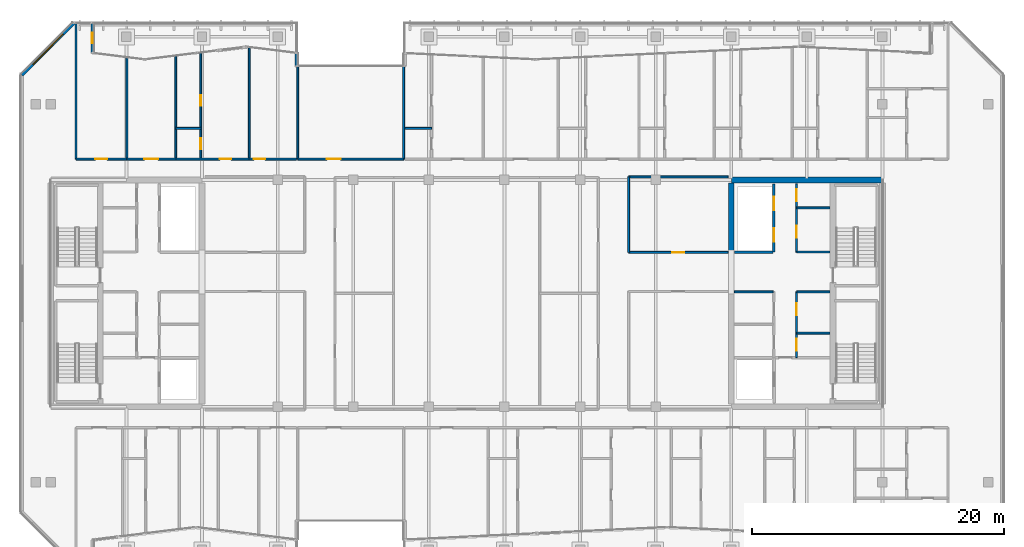
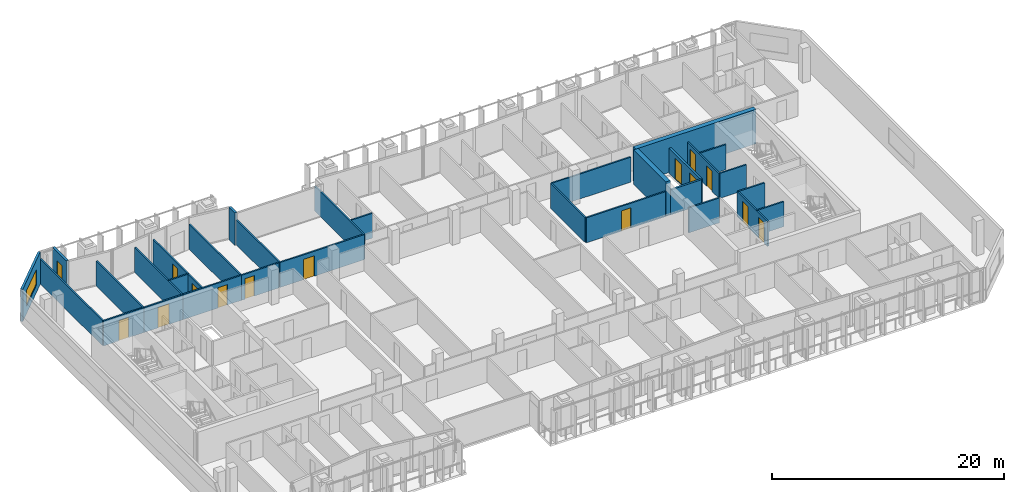
# One storey, part 23 of 31: 31 walls, 14 doors, 2 windows, 16 openings.
"""IFC4 building model written with IfcOpenShell, lengths in metres."""

import ifcopenshell
import ifcopenshell.guid

model = None  # the IFC model being written
_history = None  # IfcOwnerHistory: only IFC2X3 demands one
_inside = {}  # id of a spatial element -> (the spatial element, [elements in it])
_under = {}  # id of a project, library or spatial element -> (it, [spatial elements below it])
_declared = {}  # id of a project -> (the project, [libraries it declares])
_typed = {}  # id of a type object -> (the type object, [elements of that type])
_made_of = {}  # id of a material, layer set ... -> (it, [elements and type objects made of it])


def new_model(schema):
    """Start an empty IFC model of exactly this schema.

    Asked for "IFC4X3", IfcOpenShell would pick the latest addendum, in which some entities
    have other attributes; the version numbers below select the first issue.
    IFC2X3 requires an IfcOwnerHistory on every rooted entity: one is made here for all.
    """
    global model, _history
    if schema == "IFC4X3":
        model = ifcopenshell.file(schema_version=(4, 3, 0, 0))
    else:
        model = ifcopenshell.file(schema=schema)
    _inside.clear()
    _under.clear()
    _declared.clear()
    _typed.clear()
    _made_of.clear()
    _history = None
    if model.schema == "IFC2X3":
        org = make("IfcOrganization", Name="unknown")
        user = make(
            "IfcPersonAndOrganization",
            ThePerson=make("IfcPerson", FamilyName="unknown"),
            TheOrganization=org,
        )
        app = make(
            "IfcApplication",
            ApplicationDeveloper=org,
            Version="unknown",
            ApplicationFullName="unknown",
            ApplicationIdentifier="unknown",
        )
        _history = make(
            "IfcOwnerHistory",
            OwningUser=user,
            OwningApplication=app,
            ChangeAction="ADDED",
            CreationDate=0,
        )
    return model


def make(cls, **values):
    """One entity of the class cls with the attributes given. An attribute that is None is left unset."""
    return model.create_entity(
        cls, **{name: value for name, value in values.items() if value is not None}
    )


def rooted(cls, **values):
    """An entity with a GlobalId (a new one), such as an element, a storey or a relation."""
    return make(cls, GlobalId=ifcopenshell.guid.new(), OwnerHistory=_history, **values)


def si_unit(unit_type, name, prefix=None):
    """IfcSIUnit, for example si_unit("LENGTHUNIT", "METRE", prefix="MILLI")."""
    return make("IfcSIUnit", UnitType=unit_type, Prefix=prefix, Name=name)


def assignment(units):
    """IfcUnitAssignment: the units of a project."""
    return None if units is None else make("IfcUnitAssignment", Units=units)


def point(xyz):
    """IfcCartesianPoint."""
    return None if xyz is None else make("IfcCartesianPoint", Coordinates=xyz)


def direction(xyz):
    """IfcDirection."""
    return None if xyz is None else make("IfcDirection", DirectionRatios=xyz)


def frame(location, z_axis=None, x_axis=None):
    """IfcAxis2Placement3D, a coordinate frame: its origin and axes. An axis left out is left unset."""
    return make(
        "IfcAxis2Placement3D",
        Location=point(location),
        Axis=direction(z_axis),
        RefDirection=direction(x_axis),
    )


def frame_2d(location, x_axis=None):
    """IfcAxis2Placement2D, a coordinate frame in the plane: its origin and x axis."""
    return make(
        "IfcAxis2Placement2D", Location=point(location), RefDirection=direction(x_axis)
    )


def origin():
    """The frame at (0, 0, 0) with its axes left unset."""
    return frame((0.0, 0.0, 0.0))


def place(relative_to, where):
    """IfcLocalPlacement: puts the frame where relative to a parent placement (None: the world)."""
    return make(
        "IfcLocalPlacement", PlacementRelTo=relative_to, RelativePlacement=where
    )


def context(
    kind, dimensions, precision=None, world=None, true_north=None, identifier=None
):
    """IfcGeometricRepresentationContext, for example the 3D "Model" context."""
    return make(
        "IfcGeometricRepresentationContext",
        ContextIdentifier=identifier,
        ContextType=kind,
        CoordinateSpaceDimension=dimensions,
        Precision=precision,
        WorldCoordinateSystem=world,
        TrueNorth=true_north,
    )


def subcontext(parent, identifier, kind, view, scale=None):
    """IfcGeometricRepresentationSubContext, for example "Body" below "Model"."""
    return make(
        "IfcGeometricRepresentationSubContext",
        ContextIdentifier=identifier,
        ContextType=kind,
        ParentContext=parent,
        TargetScale=scale,
        TargetView=view,
    )


def project(units=None, contexts=None):
    """IfcProject with its units and contexts."""
    return rooted(
        "IfcProject",
        Name="project",
        RepresentationContexts=contexts,
        UnitsInContext=assignment(units),
    )


def spatial(cls, under=None, at=None, **own):
    """A site, building, storey or space (cls), placed at a placement, below another one or the project."""
    s = rooted(cls, ObjectPlacement=at, **own)
    if under is not None:
        _under.setdefault(under.id(), (under, []))[1].append(s)
    return s


def profile(cls, at=None, kind="AREA", **sizes):
    """A parametric profile (cls). Its sizes go by their IFC names, for example OverallWidth=200.0."""
    return make(cls, ProfileType=kind, Position=at, **sizes)


def rectangle(**sizes):
    """IfcRectangleProfileDef."""
    return profile("IfcRectangleProfileDef", **sizes)


def extrude(swept, where, along, depth):
    """IfcExtrudedAreaSolid: the profile swept, set in the frame where, extruded along a direction by depth."""
    return make(
        "IfcExtrudedAreaSolid",
        SweptArea=swept,
        Position=where,
        ExtrudedDirection=direction(along),
        Depth=depth,
    )


def shape(context_of_items, identifier, shape_type, items):
    """IfcShapeRepresentation: the items that make up one representation, for example the "Body"."""
    return make(
        "IfcShapeRepresentation",
        ContextOfItems=context_of_items,
        RepresentationIdentifier=identifier,
        RepresentationType=shape_type,
        Items=items,
    )


def material(Name=None, Category=None):
    """IfcMaterial."""
    return make("IfcMaterial", Name=Name, Category=Category)


def layer(
    of_material, thickness, ventilated=None, Name=None, Category=None, Priority=None
):
    """IfcMaterialLayer: one layer of a wall or slab, of a material (None: an air gap)."""
    return make(
        "IfcMaterialLayer",
        Material=of_material,
        LayerThickness=thickness,
        IsVentilated=ventilated,
        Name=Name,
        Category=Category,
        Priority=Priority,
    )


def layer_set(layers, Name=None):
    """IfcMaterialLayerSet."""
    return make("IfcMaterialLayerSet", MaterialLayers=layers, LayerSetName=Name)


def made_of(thing, what):
    """Note that an element or type object is made of a material, layer set ...; save() writes the relation."""
    if what is not None:
        _made_of.setdefault(what.id(), (what, []))[1].append(thing)
    return thing


def type_object(cls, material=None, **own):
    """A type object (cls), such as IfcWallType, which elements share."""
    return made_of(rooted(cls, **own), material)


def element(
    cls,
    number,
    at=None,
    inside=None,
    cuts=None,
    type_object=None,
    material=None,
    context=None,
    identifier="Body",
    shape_type=None,
    held_by="IfcProductDefinitionShape",
    body=None,
    shapes=None,
    **own,
):
    """One element of the class cls, such as IfcWall. Its Tag is "e" and its number.

    at: its placement. inside: the storey or other place that contains it. cuts: it is an
    opening in that element (IfcRelVoidsElement). A single representation is given by context,
    identifier, shape_type and body (its items); several are given by shapes. held_by: the class
    of the entity that holds the representations. save() writes the other relations.
    """
    e = rooted(cls, Tag="e%d" % number, ObjectPlacement=at, **own)
    if body is not None:
        shapes = [shape(context, identifier, shape_type, body)]
    if shapes is not None:
        e.Representation = make(held_by, Representations=shapes)
    if inside is not None:
        _inside.setdefault(inside.id(), (inside, []))[1].append(e)
    if cuts is not None:
        rooted(
            "IfcRelVoidsElement", RelatingBuildingElement=cuts, RelatedOpeningElement=e
        )
    if type_object is not None:
        _typed.setdefault(type_object.id(), (type_object, []))[1].append(e)
    return made_of(e, material)


def fill(opening, filler):
    """IfcRelFillsElement: the door or window that sits in an opening."""
    return rooted(
        "IfcRelFillsElement",
        RelatingOpeningElement=opening,
        RelatedBuildingElement=filler,
    )


def aggregate(whole, parts):
    """IfcRelAggregates: a whole, such as a stair, and the parts it consists of."""
    return rooted("IfcRelAggregates", RelatingObject=whole, RelatedObjects=parts)


def save(model, path):
    """Write the relations noted so far, then the file.

    IfcRelAggregates (storeys below a building ...), IfcRelContainedInSpatialStructure (elements
    in a storey), IfcRelDefinesByType, IfcRelAssociatesMaterial and IfcRelDeclares: one each for
    every whole, place, type object, material and project.
    """
    for whole, parts in _under.values():
        aggregate(whole, parts)
    for where, things in _inside.values():
        rooted(
            "IfcRelContainedInSpatialStructure",
            RelatedElements=things,
            RelatingStructure=where,
        )
    for kind, things in _typed.values():
        rooted("IfcRelDefinesByType", RelatedObjects=things, RelatingType=kind)
    for what, things in _made_of.values():
        rooted("IfcRelAssociatesMaterial", RelatedObjects=things, RelatingMaterial=what)
    for by, libraries in _declared.values():
        rooted("IfcRelDeclares", RelatingContext=by, RelatedDefinitions=libraries)
    model.write(path)


model = new_model("IFC4")

# Units and contexts
model_context = context("Model", 3, precision=1e-05, world=origin(), true_north=direction((0.0, 1.0)))
body_context = subcontext(model_context, "Body", "Model", "MODEL_VIEW")
ifc_project = project(units=[si_unit("LENGTHUNIT", "METRE"), si_unit("AREAUNIT", "SQUARE_METRE"), si_unit("VOLUMEUNIT", "CUBIC_METRE"), si_unit("PLANEANGLEUNIT", "RADIAN"), si_unit("MASSUNIT", "GRAM", prefix="KILO")], contexts=[model_context])

# Site, building, storey
site_placement = place(None, origin())
site = spatial("IfcSite", under=ifc_project, at=site_placement, CompositionType="ELEMENT")
building_placement = place(site_placement, origin())
building = spatial("IfcBuilding", under=site, at=building_placement, Name="Tanjung Sevakor Pilgrim Tower", CompositionType="ELEMENT")
storey_placement = place(building_placement, frame((0.0, 0.0, 208.22998046875)))
storey = spatial("IfcBuildingStorey", under=building, at=storey_placement, Name="L58", CompositionType="ELEMENT", Elevation=208.22998046875)

# Walls
ifc_material_1 = material(Name="Concrete C60/75", Category="concrete")
ifc_layer_1 = layer(ifc_material_1, 0.449951171875)
ifc_layer_set_1 = layer_set([ifc_layer_1], Name="WALL-CW-450")
wall_type_1 = type_object("IfcWallType", Name="WALL-CW-450", PredefinedType="SHEAR", material=ifc_layer_set_1)
wall_1_placement = place(storey_placement, frame((90.0, 42.60009765625, 0.0), z_axis=(0.0, 0.0, 1.0), x_axis=(-1.0, 0.0, 0.0)))
element("IfcWall", 1, at=wall_1_placement, inside=storey, type_object=wall_type_1, Name="L58 E Core North Shear Wall", PredefinedType="SHEAR", context=body_context, shape_type="SweptSolid", body=[
    extrude(rectangle(XDim=12.0, YDim=0.449951171875, at=frame_2d((6.0, 0.0))), origin(), (0.0, 0.0, 1.0), 3.630126953125),
])
wall_2_placement = place(storey_placement, frame((78.0, 36.800048828125, 0.0), z_axis=(0.0, 0.0, 1.0), x_axis=(0.0, 1.0, 0.0)))
element("IfcWall", 2, at=wall_2_placement, inside=storey, type_object=wall_type_1, Name="L58 E Core Inner Shear Wall North", PredefinedType="SHEAR", context=body_context, shape_type="SweptSolid", body=[
    extrude(rectangle(XDim=5.574951171875, YDim=0.449951171875, at=frame_2d((2.78759765625, 0.0))), origin(), (0.0, 0.0, 1.0), 3.630126953125),
])
ifc_material_2 = material(Name="Concrete C40/50", Category="concrete")
ifc_layer_2 = layer(ifc_material_2, 0.14990234375)
ifc_layer_set_2 = layer_set([ifc_layer_2], Name="WT-COMP-150")
wall_type_2 = type_object("IfcWallType", Name="WT-COMP-150", PredefinedType="SOLIDWALL", material=ifc_layer_set_2)
for number, where, z_axis, x_axis, name in (
    (3, (83.199951171875, 30.449951171875, 0.0), (0.0, 0.0, 1.0), (1.0, 0.0, 0.0), "L58 Partition IW-L58-016"),
    (4, (83.199951171875, 33.719970703125, 0.0), (0.0, 0.0, 1.0), (1.0, 0.0, 0.0), "L58 Partition IW-L58-017"),
):
    element("IfcWall", number, at=place(storey_placement, frame(where, z_axis=z_axis, x_axis=x_axis)), inside=storey, type_object=wall_type_2, Name=name, PredefinedType="SOLIDWALL", context=body_context, shape_type="SweptSolid", body=[
        extrude(rectangle(XDim=2.630126953125, YDim=0.14990234375, at=frame_2d((1.31494140625, 0.0))), origin(), (0.0, 0.0, 1.0), 2.6298828125),
    ])

# Wall, openings, doors
wall_3_placement = place(storey_placement, frame((83.179931640625, 28.5, 0.0), z_axis=(0.0, 0.0, 1.0), x_axis=(0.0, 1.0, 0.0)))
wall_3 = element("IfcWall", 5, at=wall_3_placement, inside=storey, type_object=wall_type_2, Name="L58 Partition IW-L58-018", PredefinedType="SOLIDWALL", context=body_context, shape_type="SweptSolid", body=[
    extrude(rectangle(XDim=5.219970703125, YDim=0.14990234375, at=frame_2d((2.60986328125, 0.0))), origin(), (0.0, 0.0, 1.0), 2.6298828125),
])
opening_1_placement = place(wall_3_placement, frame((0.550048828125, 0.0, 0.0)))
opening_1 = element("IfcOpeningElement", 6, at=opening_1_placement, cuts=wall_3, Name="Opening ID-FD2", PredefinedType="OPENING", context=body_context, shape_type="SweptSolid", body=[
    extrude(rectangle(XDim=0.949951171875, YDim=2.14990234375, at=frame_2d((0.47509765625, 1.074951171875))), frame((0.0, 0.0849609375, 0.0), z_axis=(0.0, -1.0, 0.0), x_axis=(1.0, 0.0, 0.0)), (0.0, 0.0, 1.0), 0.169921875),
])
opening_2_placement = place(wall_3_placement, frame((3.35009765625, 0.0, 0.0)))
opening_2 = element("IfcOpeningElement", 7, at=opening_2_placement, cuts=wall_3, Name="Opening ID-FD2", PredefinedType="OPENING", context=body_context, shape_type="SweptSolid", body=[
    extrude(rectangle(XDim=0.949951171875, YDim=2.14990234375, at=frame_2d((0.47509765625, 1.074951171875))), frame((0.0, 0.0849609375, 0.0), z_axis=(0.0, -1.0, 0.0), x_axis=(1.0, 0.0, 0.0)), (0.0, 0.0, 1.0), 0.169921875),
])
ifc_material_3 = material(Name="Fire-Rated Timber", Category="wood")
door_type_1 = type_object("IfcDoorType", Name="DT-FIRE-950", OperationType="NOTDEFINED", PredefinedType="DOOR", material=ifc_material_3)
door_1_placement = place(opening_1_placement, origin())
door_1 = element("IfcDoor", 8, at=door_1_placement, inside=storey, type_object=door_type_1, Name="L58 Cleaner Store Door", OperationType="SINGLE_SWING_RIGHT", OverallHeight=2.14990234375, OverallWidth=0.949951171875, PredefinedType="DOOR", context=body_context, shape_type="SweptSolid", body=[
    extrude(rectangle(XDim=0.949951171875, YDim=2.14990234375, at=frame_2d((0.47509765625, 1.074951171875))), frame((0.0, 0.02490234375, 0.0), z_axis=(0.0, -1.0, 0.0), x_axis=(1.0, 0.0, 0.0)), (0.0, 0.0, 1.0), 0.050048828125),
])
fill(opening_1, door_1)
door_2_placement = place(opening_2_placement, origin())
door_2 = element("IfcDoor", 9, at=door_2_placement, inside=storey, type_object=door_type_1, Name="L58 Housekeeping Pantry Door", OperationType="SINGLE_SWING_LEFT", OverallHeight=2.14990234375, OverallWidth=0.949951171875, PredefinedType="DOOR", context=body_context, shape_type="SweptSolid", body=[
    extrude(rectangle(XDim=0.949951171875, YDim=2.14990234375, at=frame_2d((0.47509765625, 1.074951171875))), frame((0.0, 0.02490234375, 0.0), z_axis=(0.0, -1.0, 0.0), x_axis=(1.0, 0.0, 0.0)), (0.0, 0.0, 1.0), 0.050048828125),
])
fill(opening_2, door_2)

# Walls
wall_4_placement = place(storey_placement, frame((78.2451171875, 33.719970703125, 0.0), z_axis=(0.0, 0.0, 1.0), x_axis=(1.0, 0.0, 0.0)))
element("IfcWall", 10, at=wall_4_placement, inside=storey, type_object=wall_type_2, Name="L58 Partition IW-L58-020", PredefinedType="SOLIDWALL", context=body_context, shape_type="SweptSolid", body=[
    extrude(rectangle(XDim=3.074951171875, YDim=0.14990234375, at=frame_2d((1.53759765625, 0.0))), origin(), (0.0, 0.0, 1.0), 2.6298828125),
])
for number, where, z_axis, x_axis, name in (
    (11, (83.199951171875, 36.8798828125, 0.0), (0.0, 0.0, 1.0), (1.0, 0.0, 0.0), "L58 Partition IW-L58-022"),
    (12, (83.199951171875, 40.389892578125, 0.0), (0.0, 0.0, 1.0), (1.0, 0.0, 0.0), "L58 Partition IW-L58-023"),
):
    element("IfcWall", number, at=place(storey_placement, frame(where, z_axis=z_axis, x_axis=x_axis)), inside=storey, type_object=wall_type_2, Name=name, PredefinedType="SOLIDWALL", context=body_context, shape_type="SweptSolid", body=[
        extrude(rectangle(XDim=2.630126953125, YDim=0.14990234375, at=frame_2d((1.31494140625, 0.0))), origin(), (0.0, 0.0, 1.0), 2.6298828125),
    ])

# Wall, openings, doors
wall_5_placement = place(storey_placement, frame((83.179931640625, 36.8798828125, 0.0), z_axis=(0.0, 0.0, 1.0), x_axis=(0.0, 1.0, 0.0)))
wall_5 = element("IfcWall", 13, at=wall_5_placement, inside=storey, type_object=wall_type_2, Name="L58 Partition IW-L58-024", PredefinedType="SOLIDWALL", context=body_context, shape_type="SweptSolid", body=[
    extrude(rectangle(XDim=5.420166015625, YDim=0.14990234375, at=frame_2d((2.7099609375, 0.0))), origin(), (0.0, 0.0, 1.0), 2.6298828125),
])
opening_3_placement = place(wall_5_placement, frame((1.14990234375, 0.0, 0.0)))
opening_3 = element("IfcOpeningElement", 14, at=opening_3_placement, cuts=wall_5, Name="Opening ID-FD2", PredefinedType="OPENING", context=body_context, shape_type="SweptSolid", body=[
    extrude(rectangle(XDim=0.949951171875, YDim=2.14990234375, at=frame_2d((0.47509765625, 1.074951171875))), frame((0.0, 0.0849609375, 0.0), z_axis=(0.0, -1.0, 0.0), x_axis=(1.0, 0.0, 0.0)), (0.0, 0.0, 1.0), 0.169921875),
])
opening_4_placement = place(wall_5_placement, frame((4.050048828125, 0.0, 0.0)))
opening_4 = element("IfcOpeningElement", 15, at=opening_4_placement, cuts=wall_5, Name="Opening ID-FD2", PredefinedType="OPENING", context=body_context, shape_type="SweptSolid", body=[
    extrude(rectangle(XDim=0.949951171875, YDim=2.14990234375, at=frame_2d((0.47509765625, 1.074951171875))), frame((0.0, 0.0849609375, 0.0), z_axis=(0.0, -1.0, 0.0), x_axis=(1.0, 0.0, 0.0)), (0.0, 0.0, 1.0), 0.169921875),
])
door_3_placement = place(opening_3_placement, origin())
door_3 = element("IfcDoor", 16, at=door_3_placement, inside=storey, type_object=door_type_1, Name="L58 Core Study Room Door", OperationType="SINGLE_SWING_RIGHT", OverallHeight=2.14990234375, OverallWidth=0.949951171875, PredefinedType="DOOR", context=body_context, shape_type="SweptSolid", body=[
    extrude(rectangle(XDim=0.949951171875, YDim=2.14990234375, at=frame_2d((0.47509765625, 1.074951171875))), frame((0.0, 0.02490234375, 0.0), z_axis=(0.0, -1.0, 0.0), x_axis=(1.0, 0.0, 0.0)), (0.0, 0.0, 1.0), 0.050048828125),
])
fill(opening_3, door_3)
door_4_placement = place(opening_4_placement, origin())
door_4 = element("IfcDoor", 17, at=door_4_placement, inside=storey, type_object=door_type_1, Name="L58 Service Store Door", OperationType="SINGLE_SWING_LEFT", OverallHeight=2.14990234375, OverallWidth=0.949951171875, PredefinedType="DOOR", context=body_context, shape_type="SweptSolid", body=[
    extrude(rectangle(XDim=0.949951171875, YDim=2.14990234375, at=frame_2d((0.47509765625, 1.074951171875))), frame((0.0, 0.02490234375, 0.0), z_axis=(0.0, -1.0, 0.0), x_axis=(1.0, 0.0, 0.0)), (0.0, 0.0, 1.0), 0.050048828125),
])
fill(opening_4, door_4)

# Wall, opening, door
wall_6_placement = place(storey_placement, frame((69.85009765625, 36.85009765625, 0.0), z_axis=(0.0, 0.0, 1.0), x_axis=(1.0, 0.0, 0.0)))
wall_6 = element("IfcWall", 18, at=wall_6_placement, inside=storey, type_object=wall_type_2, Name="L58 Partition IW-L58-036", PredefinedType="SOLIDWALL", context=body_context, shape_type="SweptSolid", body=[
    extrude(rectangle(XDim=7.90478515625, YDim=0.14990234375, at=frame_2d((3.952392578125, 0.0))), origin(), (0.0, 0.0, 1.0), 2.6298828125),
])
opening_5_placement = place(wall_6_placement, frame((3.4775390625, 0.0, 0.0)))
opening_5 = element("IfcOpeningElement", 19, at=opening_5_placement, cuts=wall_6, Name="Opening ID-RM1", PredefinedType="OPENING", context=body_context, shape_type="SweptSolid", body=[
    extrude(rectangle(XDim=0.949951171875, YDim=2.14990234375, at=frame_2d((0.47509765625, 1.074951171875))), frame((0.0, 0.0849609375, 0.0), z_axis=(0.0, -1.0, 0.0), x_axis=(1.0, 0.0, 0.0)), (0.0, 0.0, 1.0), 0.169921875),
])
ifc_material_4 = material(Name="Hardwood Timber", Category="wood")
door_type_2 = type_object("IfcDoorType", Name="DT-INT-950", OperationType="NOTDEFINED", PredefinedType="DOOR", material=ifc_material_4)
door_5_placement = place(opening_5_placement, origin())
door_5 = element("IfcDoor", 20, at=door_5_placement, inside=storey, type_object=door_type_2, Name="L58 East Inboard North Door", OperationType="SINGLE_SWING_LEFT", OverallHeight=2.14990234375, OverallWidth=0.949951171875, PredefinedType="DOOR", context=body_context, shape_type="SweptSolid", body=[
    extrude(rectangle(XDim=0.949951171875, YDim=2.14990234375, at=frame_2d((0.47509765625, 1.074951171875))), frame((0.0, 0.02490234375, 0.0), z_axis=(0.0, -1.0, 0.0), x_axis=(1.0, 0.0, 0.0)), (0.0, 0.0, 1.0), 0.050048828125),
])
fill(opening_5, door_5)

# Walls
wall_7_placement = place(storey_placement, frame((69.85009765625, 42.85009765625, 0.0), z_axis=(0.0, 0.0, 1.0), x_axis=(1.0, 0.0, 0.0)))
element("IfcWall", 21, at=wall_7_placement, inside=storey, type_object=wall_type_2, Name="L58 Partition IW-L58-037", PredefinedType="SOLIDWALL", context=body_context, shape_type="SweptSolid", body=[
    extrude(rectangle(XDim=7.90478515625, YDim=0.14990234375, at=frame_2d((3.952392578125, 0.0))), origin(), (0.0, 0.0, 1.0), 2.6298828125),
])
wall_8_placement = place(storey_placement, frame((69.85009765625, 36.85009765625, 0.0), z_axis=(0.0, 0.0, 1.0), x_axis=(0.0, 1.0, 0.0)))
element("IfcWall", 22, at=wall_8_placement, inside=storey, type_object=wall_type_2, Name="L58 Partition IW-L58-038", PredefinedType="SOLIDWALL", context=body_context, shape_type="SweptSolid", body=[
    extrude(rectangle(XDim=6.0, YDim=0.14990234375, at=frame_2d((3.0, 0.0))), origin(), (0.0, 0.0, 1.0), 2.6298828125),
])

# Wall, opening, door
wall_9_placement = place(storey_placement, frame((43.60009765625, 44.25, 0.0), z_axis=(0.0, 0.0, 1.0), x_axis=(1.0, 0.0, 0.0)))
wall_9 = element("IfcWall", 23, at=wall_9_placement, inside=storey, type_object=wall_type_2, Name="L58 Partition IW-L58-056", PredefinedType="SOLIDWALL", context=body_context, shape_type="SweptSolid", body=[
    extrude(rectangle(XDim=8.39990234375, YDim=0.14990234375, at=frame_2d((4.199951171875, 0.0))), origin(), (0.0, 0.0, 1.0), 2.6298828125),
])
opening_6_placement = place(wall_9_placement, frame((2.300048828125, 0.0, 0.0)))
opening_6 = element("IfcOpeningElement", 24, at=opening_6_placement, cuts=wall_9, Name="Opening ID-RM2", PredefinedType="OPENING", context=body_context, shape_type="SweptSolid", body=[
    extrude(rectangle(XDim=1.10009765625, YDim=2.14990234375, at=frame_2d((0.550048828125, 1.074951171875))), frame((0.0, 0.0849609375, 0.0), z_axis=(0.0, -1.0, 0.0), x_axis=(1.0, 0.0, 0.0)), (0.0, 0.0, 1.0), 0.169921875),
])
ifc_material_5 = material(Name="Hardwood Timber", Category="wood")
door_type_3 = type_object("IfcDoorType", Name="DT-INT-1100", OperationType="NOTDEFINED", PredefinedType="DOOR", material=ifc_material_5)
door_6_placement = place(opening_6_placement, origin())
door_6 = element("IfcDoor", 25, at=door_6_placement, inside=storey, type_object=door_type_3, Name="L58 North Cleft Prayer Room Door", OperationType="SINGLE_SWING_RIGHT", OverallHeight=2.14990234375, OverallWidth=1.10009765625, PredefinedType="DOOR", context=body_context, shape_type="SweptSolid", body=[
    extrude(rectangle(XDim=1.10009765625, YDim=2.14990234375, at=frame_2d((0.550048828125, 1.074951171875))), frame((0.0, 0.02490234375, 0.0), z_axis=(0.0, -1.0, 0.0), x_axis=(1.0, 0.0, 0.0)), (0.0, 0.0, 1.0), 0.050048828125),
])
fill(opening_6, door_6)

# Walls
wall_10_placement = place(storey_placement, frame((43.60009765625, 44.25, 0.0), z_axis=(0.0, 0.0, 1.0), x_axis=(0.0, 1.0, 0.0)))
element("IfcWall", 26, at=wall_10_placement, inside=storey, type_object=wall_type_2, Name="L58 Partition IW-L58-057", PredefinedType="SOLIDWALL", context=body_context, shape_type="SweptSolid", body=[
    extrude(rectangle(XDim=8.423828125, YDim=0.14990234375, at=frame_2d((4.2119140625, 0.0))), origin(), (0.0, 0.0, 1.0), 2.6298828125),
])
wall_11_placement = place(storey_placement, frame((52.0, 44.25, 0.0), z_axis=(0.0, 0.0, 1.0), x_axis=(0.0, 1.0, 0.0)))
element("IfcWall", 27, at=wall_11_placement, inside=storey, type_object=wall_type_2, Name="L58 Partition IW-L58-058", PredefinedType="SOLIDWALL", context=body_context, shape_type="SweptSolid", body=[
    extrude(rectangle(XDim=8.404052734375, YDim=0.14990234375, at=frame_2d((4.2021484375, 0.0))), origin(), (0.0, 0.0, 1.0), 2.6298828125),
])
wall_12_placement = place(storey_placement, frame((26.0, 44.25, 0.0), z_axis=(0.0, 0.0, 1.0), x_axis=(0.0, 1.0, 0.0)))
element("IfcWall", 28, at=wall_12_placement, inside=storey, type_object=wall_type_2, Name="L58 Partition IW-L58-094", PredefinedType="SOLIDWALL", context=body_context, shape_type="SweptSolid", body=[
    extrude(rectangle(XDim=10.7900390625, YDim=0.14990234375, at=frame_2d((5.39501953125, 0.0))), origin(), (0.0, 0.0, 1.0), 2.6298828125),
])
wall_13_placement = place(storey_placement, frame((30.03369140625, 44.25, 0.0), z_axis=(0.0, 0.0, 1.0), x_axis=(0.0, 1.0, 0.0)))
element("IfcWall", 29, at=wall_13_placement, inside=storey, type_object=wall_type_2, Name="L58 Partition IW-L58-095", PredefinedType="SOLIDWALL", context=body_context, shape_type="SweptSolid", body=[
    extrude(rectangle(XDim=8.083984375, YDim=0.14990234375, at=frame_2d((4.0419921875, 0.0))), origin(), (0.0, 0.0, 1.0), 2.6298828125),
])

# Wall, opening, door
wall_14_placement = place(storey_placement, frame((26.0, 44.25, 0.0), z_axis=(0.0, 0.0, 1.0), x_axis=(1.0, 0.0, 0.0)))
wall_14 = element("IfcWall", 30, at=wall_14_placement, inside=storey, type_object=wall_type_2, Name="L58 Partition IW-L58-096", PredefinedType="SOLIDWALL", context=body_context, shape_type="SweptSolid", body=[
    extrude(rectangle(XDim=4.03369140625, YDim=0.14990234375, at=frame_2d((2.016845703125, 0.0))), origin(), (0.0, 0.0, 1.0), 2.6298828125),
])
opening_7_placement = place(wall_14_placement, frame((1.5419921875, 0.0, 0.0)))
opening_7 = element("IfcOpeningElement", 31, at=opening_7_placement, cuts=wall_14, Name="Opening ID-FD2", PredefinedType="OPENING", context=body_context, shape_type="SweptSolid", body=[
    extrude(rectangle(XDim=0.949951171875, YDim=2.14990234375, at=frame_2d((0.47509765625, 1.074951171875))), frame((0.0, 0.0849609375, 0.0), z_axis=(0.0, -1.0, 0.0), x_axis=(1.0, 0.0, 0.0)), (0.0, 0.0, 1.0), 0.169921875),
])
door_7_placement = place(opening_7_placement, origin())
door_7 = element("IfcDoor", 32, at=door_7_placement, inside=storey, type_object=door_type_1, Name="Study Room Entrance", OperationType="SINGLE_SWING_LEFT", OverallHeight=2.14990234375, OverallWidth=0.949951171875, PredefinedType="DOOR", context=body_context, shape_type="SweptSolid", body=[
    extrude(rectangle(XDim=0.949951171875, YDim=2.14990234375, at=frame_2d((0.47509765625, 1.074951171875))), frame((0.0, 0.02490234375, 0.0), z_axis=(0.0, -1.0, 0.0), x_axis=(1.0, 0.0, 0.0)), (0.0, 0.0, 1.0), 0.050048828125),
])
fill(opening_7, door_7)

# Wall
wall_15_placement = place(storey_placement, frame((33.918212890625, 44.25, 0.0), z_axis=(0.0, 0.0, 1.0), x_axis=(0.0, 1.0, 0.0)))
element("IfcWall", 33, at=wall_15_placement, inside=storey, type_object=wall_type_2, Name="L58 Partition IW-L58-097", PredefinedType="SOLIDWALL", context=body_context, shape_type="SweptSolid", body=[
    extrude(rectangle(XDim=8.2138671875, YDim=0.14990234375, at=frame_2d((4.10693359375, 0.0))), origin(), (0.0, 0.0, 1.0), 2.6298828125),
])

# Wall, opening, door
wall_16_placement = place(storey_placement, frame((30.03369140625, 44.25, 0.0), z_axis=(0.0, 0.0, 1.0), x_axis=(1.0, 0.0, 0.0)))
wall_16 = element("IfcWall", 34, at=wall_16_placement, inside=storey, type_object=wall_type_2, Name="L58 Partition IW-L58-098", PredefinedType="SOLIDWALL", context=body_context, shape_type="SweptSolid", body=[
    extrude(rectangle(XDim=3.884521484375, YDim=0.14990234375, at=frame_2d((1.9423828125, 0.0))), origin(), (0.0, 0.0, 1.0), 2.6298828125),
])
opening_8_placement = place(wall_16_placement, frame((1.39208984375, 0.0, 0.0)))
opening_8 = element("IfcOpeningElement", 35, at=opening_8_placement, cuts=wall_16, Name="Opening ID-FD0", PredefinedType="OPENING", context=body_context, shape_type="SweptSolid", body=[
    extrude(rectangle(XDim=1.10009765625, YDim=2.14990234375, at=frame_2d((0.550048828125, 1.074951171875))), frame((0.0, 0.0849609375, 0.0), z_axis=(0.0, -1.0, 0.0), x_axis=(1.0, 0.0, 0.0)), (0.0, 0.0, 1.0), 0.169921875),
])
ifc_material_6 = material(Name="Fire-Rated Steel S355J2", Category="steel")
door_type_4 = type_object("IfcDoorType", Name="DT-FIRE-1100", OperationType="NOTDEFINED", PredefinedType="DOOR", material=ifc_material_6)
door_8_placement = place(opening_8_placement, origin())
door_8 = element("IfcDoor", 36, at=door_8_placement, inside=storey, type_object=door_type_4, Name="Seminar Room Door", OperationType="SINGLE_SWING_RIGHT", OverallHeight=2.14990234375, OverallWidth=1.10009765625, PredefinedType="DOOR", context=body_context, shape_type="SweptSolid", body=[
    extrude(rectangle(XDim=1.10009765625, YDim=2.14990234375, at=frame_2d((0.550048828125, 1.074951171875))), frame((0.0, 0.02490234375, 0.0), z_axis=(0.0, -1.0, 0.0), x_axis=(1.0, 0.0, 0.0)), (0.0, 0.0, 1.0), 0.050048828125),
])
fill(opening_8, door_8)

# Wall
wall_17_placement = place(storey_placement, frame((39.744873046875, 44.25, 0.0), z_axis=(0.0, 0.0, 1.0), x_axis=(0.0, 1.0, 0.0)))
element("IfcWall", 37, at=wall_17_placement, inside=storey, type_object=wall_type_2, Name="L58 Partition IW-L58-099", PredefinedType="SOLIDWALL", context=body_context, shape_type="SweptSolid", body=[
    extrude(rectangle(XDim=8.885009765625, YDim=0.14990234375, at=frame_2d((4.4423828125, 0.0))), origin(), (0.0, 0.0, 1.0), 2.6298828125),
])

# Wall, opening, door
wall_18_placement = place(storey_placement, frame((33.918212890625, 44.25, 0.0), z_axis=(0.0, 0.0, 1.0), x_axis=(1.0, 0.0, 0.0)))
wall_18 = element("IfcWall", 38, at=wall_18_placement, inside=storey, type_object=wall_type_2, Name="L58 Partition IW-L58-102", PredefinedType="SOLIDWALL", context=body_context, shape_type="SweptSolid", body=[
    extrude(rectangle(XDim=5.82666015625, YDim=0.14990234375, at=frame_2d((2.913330078125, 0.0))), origin(), (0.0, 0.0, 1.0), 2.6298828125),
])
opening_9_placement = place(wall_18_placement, frame((3.468994140625, 0.0, 0.0)))
opening_9 = element("IfcOpeningElement", 39, at=opening_9_placement, cuts=wall_18, Name="Opening ID-FD2", PredefinedType="OPENING", context=body_context, shape_type="SweptSolid", body=[
    extrude(rectangle(XDim=0.949951171875, YDim=2.14990234375, at=frame_2d((0.47509765625, 1.074951171875))), frame((0.0, 0.0849609375, 0.0), z_axis=(0.0, -1.0, 0.0), x_axis=(1.0, 0.0, 0.0)), (0.0, 0.0, 1.0), 0.169921875),
])
door_9_placement = place(opening_9_placement, origin())
door_9 = element("IfcDoor", 40, at=door_9_placement, inside=storey, type_object=door_type_1, Name="Hostel Quad Entrance", OperationType="SINGLE_SWING_LEFT", OverallHeight=2.14990234375, OverallWidth=0.949951171875, PredefinedType="DOOR", context=body_context, shape_type="SweptSolid", body=[
    extrude(rectangle(XDim=0.949951171875, YDim=2.14990234375, at=frame_2d((0.47509765625, 1.074951171875))), frame((0.0, 0.02490234375, 0.0), z_axis=(0.0, -1.0, 0.0), x_axis=(1.0, 0.0, 0.0)), (0.0, 0.0, 1.0), 0.050048828125),
])
fill(opening_9, door_9)

wall_19_placement = place(storey_placement, frame((39.744873046875, 44.25, 0.0), z_axis=(0.0, 0.0, 1.0), x_axis=(1.0, 0.0, 0.0)))
wall_19 = element("IfcWall", 41, at=wall_19_placement, inside=storey, type_object=wall_type_2, Name="L58 Partition IW-L58-103", PredefinedType="SOLIDWALL", context=body_context, shape_type="SweptSolid", body=[
    extrude(rectangle(XDim=3.735107421875, YDim=0.14990234375, at=frame_2d((1.86767578125, 0.0))), origin(), (0.0, 0.0, 1.0), 2.6298828125),
])
opening_10_placement = place(wall_19_placement, frame((0.342529296875, 0.0, 0.0)))
opening_10 = element("IfcOpeningElement", 42, at=opening_10_placement, cuts=wall_19, Name="Opening ID-FD2", PredefinedType="OPENING", context=body_context, shape_type="SweptSolid", body=[
    extrude(rectangle(XDim=0.949951171875, YDim=2.14990234375, at=frame_2d((0.47509765625, 1.074951171875))), frame((0.0, 0.0849609375, 0.0), z_axis=(0.0, -1.0, 0.0), x_axis=(1.0, 0.0, 0.0)), (0.0, 0.0, 1.0), 0.169921875),
])
door_10_placement = place(opening_10_placement, origin())
door_10 = element("IfcDoor", 43, at=door_10_placement, inside=storey, type_object=door_type_1, Name="Study Room Entrance", OperationType="SINGLE_SWING_RIGHT", OverallHeight=2.14990234375, OverallWidth=0.949951171875, PredefinedType="DOOR", context=body_context, shape_type="SweptSolid", body=[
    extrude(rectangle(XDim=0.949951171875, YDim=2.14990234375, at=frame_2d((0.47509765625, 1.074951171875))), frame((0.0, 0.02490234375, 0.0), z_axis=(0.0, -1.0, 0.0), x_axis=(1.0, 0.0, 0.0)), (0.0, 0.0, 1.0), 0.050048828125),
])
fill(opening_10, door_10)

# Wall
ifc_material_7 = material(Name="Precast concrete C45/55", Category="concrete")
ifc_layer_3 = layer(ifc_material_7, 0.219970703125)
ifc_layer_set_3 = layer_set([ifc_layer_3], Name="WT-EW-STN4")
wall_type_3 = type_object("IfcWallType", Name="WT-EW-STN4", PredefinedType="SOLIDWALL", material=ifc_layer_set_3)
wall_20_placement = place(storey_placement, frame((43.489990234375, 51.639892578125, 0.0), z_axis=(0.0, 0.0, 1.0), x_axis=(0.0, 1.0, 0.0)))
element("IfcWall", 44, at=wall_20_placement, inside=storey, type_object=wall_type_3, Name="L58 MAIN Exterior Wall 27", PredefinedType="SOLIDWALL", context=body_context, shape_type="SweptSolid", body=[
    extrude(rectangle(XDim=1.03271484375, YDim=0.219970703125, at=frame_2d((0.516357421875, 0.0))), origin(), (0.0, 0.0, 1.0), 3.409912109375),
])

# Wall, opening, window
wall_21_placement = place(storey_placement, frame((27.2900390625, 52.672607421875, 0.0), z_axis=(0.0, 0.0, 1.0), x_axis=(0.0, 1.0, 0.0)))
wall_21 = element("IfcWall", 45, at=wall_21_placement, inside=storey, type_object=wall_type_3, Name="L58 MAIN Exterior Wall 32", PredefinedType="SOLIDWALL", context=body_context, shape_type="SweptSolid", body=[
    extrude(rectangle(XDim=2.367431640625, YDim=0.219970703125, at=frame_2d((1.18359375, 0.0))), origin(), (0.0, 0.0, 1.0), 3.409912109375),
])
opening_11_placement = place(wall_21_placement, frame((0.7587890625, 0.0, 0.780029296875)))
opening_11 = element("IfcOpeningElement", 46, at=opening_11_placement, cuts=wall_21, Name="Opening WN-SLM", PredefinedType="OPENING", context=body_context, shape_type="SweptSolid", body=[
    extrude(rectangle(XDim=0.85009765625, YDim=1.64990234375, at=frame_2d((0.425048828125, 0.824951171875))), frame((0.0, 0.119873046875, 0.0), z_axis=(0.0, -1.0, 0.0), x_axis=(1.0, 0.0, 0.0)), (0.0, 0.0, 1.0), 0.239990234375),
])
ifc_material_8 = material(Name="Thermally Broken Aluminium and Low-E Glass", Category="aluminium")
window_type_1 = type_object("IfcWindowType", Name="WTYP-WN-SLM", PartitioningType="SINGLE_PANEL", PredefinedType="WINDOW", material=ifc_material_8)
window_1_placement = place(opening_11_placement, origin())
window_1 = element("IfcWindow", 47, at=window_1_placement, inside=storey, type_object=window_type_1, Name="L58 Facade Window 01", OverallHeight=1.64990234375, OverallWidth=0.85009765625, PartitioningType="SINGLE_PANEL", PredefinedType="WINDOW", context=body_context, shape_type="SweptSolid", body=[
    extrude(rectangle(XDim=0.85009765625, YDim=1.64990234375, at=frame_2d((0.425048828125, 0.824951171875))), frame((0.0, 0.030029296875, 0.0), z_axis=(0.0, -1.0, 0.0), x_axis=(1.0, 0.0, 0.0)), (0.0, 0.0, 1.0), 0.06005859375),
])
fill(opening_11, window_1)

wall_22_placement = place(storey_placement, frame((25.845703125, 55.0400390625, 0.0), z_axis=(0.0, 0.0, 1.0), x_axis=(-0.707106781187, -0.707106781187, 0.0)))
wall_22 = element("IfcWall", 48, at=wall_22_placement, inside=storey, type_object=wall_type_3, Name="L58 MAIN Sculpted Corner Wall 33", PredefinedType="SOLIDWALL", context=body_context, shape_type="SweptSolid", body=[
    extrude(rectangle(XDim=5.848876953125, YDim=0.219970703125, at=frame_2d((2.92431640625, 0.0))), origin(), (0.0, 0.0, 1.0), 3.409912109375),
])
opening_12_placement = place(wall_22_placement, frame((1.224365234375, 0.0, 0.780029296875)))
opening_12 = element("IfcOpeningElement", 49, at=opening_12_placement, cuts=wall_22, Name="Opening WN-CHM-1660", PredefinedType="OPENING", context=body_context, shape_type="SweptSolid", body=[
    extrude(rectangle(XDim=3.39990234375, YDim=1.659912109375, at=frame_2d((1.699951171875, 0.830078125))), frame((0.0, 0.119873046875, 0.0), z_axis=(0.0, -1.0, 0.0), x_axis=(1.0, 0.0, 0.0)), (0.0, 0.0, 1.0), 0.239990234375),
])
ifc_material_9 = material(Name="Thermally Broken Aluminium and Low-E Glass", Category="aluminium")
window_type_2 = type_object("IfcWindowType", Name="WTYP-WN-CHM-1660", PartitioningType="DOUBLE_PANEL_VERTICAL", PredefinedType="WINDOW", material=ifc_material_9)
window_2_placement = place(opening_12_placement, origin())
window_2 = element("IfcWindow", 50, at=window_2_placement, inside=storey, type_object=window_type_2, Name="L58 Facade Window 01", OverallHeight=1.659912109375, OverallWidth=3.39990234375, PartitioningType="SINGLE_PANEL", PredefinedType="WINDOW", context=body_context, shape_type="SweptSolid", body=[
    extrude(rectangle(XDim=3.39990234375, YDim=1.659912109375, at=frame_2d((1.699951171875, 0.830078125))), frame((0.0, 0.030029296875, 0.0), z_axis=(0.0, -1.0, 0.0), x_axis=(1.0, 0.0, 0.0)), (0.0, 0.0, 1.0), 0.06005859375),
])
fill(opening_12, window_2)

# Wall
ifc_material_10 = material(Name="Concrete C40/50", Category="concrete")
ifc_layer_4 = layer(ifc_material_10, 0.199951171875)
ifc_layer_set_4 = layer_set([ifc_layer_4], Name="WT-FPRT-200")
wall_type_4 = type_object("IfcWallType", Name="WT-FPRT-200", PredefinedType="SOLIDWALL", material=ifc_layer_set_4)
wall_23_placement = place(storey_placement, frame((78.2451171875, 36.8798828125, 0.0), z_axis=(0.0, 0.0, 1.0), x_axis=(1.0, 0.0, 0.0)))
element("IfcWall", 51, at=wall_23_placement, inside=storey, type_object=wall_type_4, Name="L58 Partition IW-L58-025", PredefinedType="SOLIDWALL", context=body_context, shape_type="SweptSolid", body=[
    extrude(rectangle(XDim=3.074951171875, YDim=0.199951171875, at=frame_2d((1.53759765625, 0.0))), origin(), (0.0, 0.0, 1.0), 2.6298828125),
])

# Wall, openings, doors
wall_24_placement = place(storey_placement, frame((81.3798828125, 36.8798828125, 0.0), z_axis=(0.0, 0.0, 1.0), x_axis=(0.0, 1.0, 0.0)))
wall_24 = element("IfcWall", 52, at=wall_24_placement, inside=storey, type_object=wall_type_4, Name="L58 Partition IW-L58-026", PredefinedType="SOLIDWALL", context=body_context, shape_type="SweptSolid", body=[
    extrude(rectangle(XDim=5.420166015625, YDim=0.199951171875, at=frame_2d((2.7099609375, 0.0))), origin(), (0.0, 0.0, 1.0), 2.6298828125),
])
opening_13_placement = place(wall_24_placement, frame((0.800048828125, 0.0, 0.0)))
opening_13 = element("IfcOpeningElement", 53, at=opening_13_placement, cuts=wall_24, Name="Opening LD-1100", PredefinedType="OPENING", context=body_context, shape_type="SweptSolid", body=[
    extrude(rectangle(XDim=1.10009765625, YDim=2.199951171875, at=frame_2d((0.550048828125, 1.10009765625))), frame((0.0, 0.10986328125, 0.0), z_axis=(0.0, -1.0, 0.0), x_axis=(1.0, 0.0, 0.0)), (0.0, 0.0, 1.0), 0.219970703125),
])
opening_14_placement = place(wall_24_placement, frame((3.300048828125, 0.0, 0.0)))
opening_14 = element("IfcOpeningElement", 54, at=opening_14_placement, cuts=wall_24, Name="Opening LD-1100", PredefinedType="OPENING", context=body_context, shape_type="SweptSolid", body=[
    extrude(rectangle(XDim=1.10009765625, YDim=2.199951171875, at=frame_2d((0.550048828125, 1.10009765625))), frame((0.0, 0.10986328125, 0.0), z_axis=(0.0, -1.0, 0.0), x_axis=(1.0, 0.0, 0.0)), (0.0, 0.0, 1.0), 0.219970703125),
])
ifc_material_11 = material(Name="Brushed Stainless Steel S355J2", Category="steel")
door_type_5 = type_object("IfcDoorType", Name="DT-LIFT-1100", OperationType="SLIDING_TO_LEFT", PredefinedType="DOOR", material=ifc_material_11)
door_11_placement = place(opening_13_placement, origin())
door_11 = element("IfcDoor", 55, at=door_11_placement, inside=storey, type_object=door_type_5, Name="LD-PLH1-E", OperationType="SLIDING_TO_LEFT", OverallHeight=2.199951171875, OverallWidth=1.10009765625, PredefinedType="DOOR", context=body_context, shape_type="SweptSolid", body=[
    extrude(rectangle(XDim=1.10009765625, YDim=2.199951171875, at=frame_2d((0.550048828125, 1.10009765625))), frame((0.0, 0.02490234375, 0.0), z_axis=(0.0, -1.0, 0.0), x_axis=(1.0, 0.0, 0.0)), (0.0, 0.0, 1.0), 0.050048828125),
])
fill(opening_13, door_11)
door_12_placement = place(opening_14_placement, origin())
door_12 = element("IfcDoor", 56, at=door_12_placement, inside=storey, type_object=door_type_5, Name="LD-PLH2-E", OperationType="SLIDING_TO_RIGHT", OverallHeight=2.199951171875, OverallWidth=1.10009765625, PredefinedType="DOOR", context=body_context, shape_type="SweptSolid", body=[
    extrude(rectangle(XDim=1.10009765625, YDim=2.199951171875, at=frame_2d((0.550048828125, 1.10009765625))), frame((0.0, 0.02490234375, 0.0), z_axis=(0.0, -1.0, 0.0), x_axis=(1.0, 0.0, 0.0)), (0.0, 0.0, 1.0), 0.050048828125),
])
fill(opening_14, door_12)

# Wall
ifc_material_12 = material(Name="Gypsum Board Partition", Category="gypsum board")
ifc_layer_5 = layer(ifc_material_12, 0.14990234375)
ifc_layer_set_5 = layer_set([ifc_layer_5], Name="WT-PART-150")
wall_type_5 = type_object("IfcWallType", Name="WT-PART-150", PredefinedType="PARTITIONING", material=ifc_layer_set_5)
wall_25_placement = place(storey_placement, frame((33.918212890625, 46.699951171875, 0.0), z_axis=(0.0, 0.0, 1.0), x_axis=(1.0, 0.0, 0.0)))
element("IfcWall", 57, at=wall_25_placement, inside=storey, type_object=wall_type_5, Name="L58 Partition IW-L58-100", PredefinedType="PARTITIONING", context=body_context, shape_type="SweptSolid", body=[
    extrude(rectangle(XDim=1.981201171875, YDim=0.14990234375, at=frame_2d((0.99072265625, 0.0))), origin(), (0.0, 0.0, 1.0), 2.6298828125),
])

# Wall, openings, doors
wall_26_placement = place(storey_placement, frame((35.8994140625, 44.25, 0.0), z_axis=(0.0, 0.0, 1.0), x_axis=(0.0, 1.0, 0.0)))
wall_26 = element("IfcWall", 58, at=wall_26_placement, inside=storey, type_object=wall_type_5, Name="L58 Partition IW-L58-101", PredefinedType="PARTITIONING", context=body_context, shape_type="SweptSolid", body=[
    extrude(rectangle(XDim=8.45849609375, YDim=0.14990234375, at=frame_2d((4.229248046875, 0.0))), origin(), (0.0, 0.0, 1.0), 2.6298828125),
])
opening_15_placement = place(wall_26_placement, frame((0.800048828125, 0.0, 0.0)))
opening_15 = element("IfcOpeningElement", 59, at=opening_15_placement, cuts=wall_26, Name="Opening ID-WC1", PredefinedType="OPENING", context=body_context, shape_type="SweptSolid", body=[
    extrude(rectangle(XDim=0.85009765625, YDim=2.10009765625, at=frame_2d((0.425048828125, 1.050048828125))), frame((0.0, 0.0849609375, 0.0), z_axis=(0.0, -1.0, 0.0), x_axis=(1.0, 0.0, 0.0)), (0.0, 0.0, 1.0), 0.169921875),
])
opening_16_placement = place(wall_26_placement, frame((4.22998046875, 0.0, 0.0)))
opening_16 = element("IfcOpeningElement", 60, at=opening_16_placement, cuts=wall_26, Name="Opening ID-WC1", PredefinedType="OPENING", context=body_context, shape_type="SweptSolid", body=[
    extrude(rectangle(XDim=0.85009765625, YDim=2.10009765625, at=frame_2d((0.425048828125, 1.050048828125))), frame((0.0, 0.0849609375, 0.0), z_axis=(0.0, -1.0, 0.0), x_axis=(1.0, 0.0, 0.0)), (0.0, 0.0, 1.0), 0.169921875),
])
ifc_material_13 = material(Name="Moisture-Resistant Timber", Category="wood")
door_type_6 = type_object("IfcDoorType", Name="DT-INT-850", OperationType="NOTDEFINED", PredefinedType="DOOR", material=ifc_material_13)
door_13_placement = place(opening_15_placement, origin())
door_13 = element("IfcDoor", 61, at=door_13_placement, inside=storey, type_object=door_type_6, Name="Bathroom Door", OperationType="SINGLE_SWING_LEFT", OverallHeight=2.10009765625, OverallWidth=0.85009765625, PredefinedType="DOOR", context=body_context, shape_type="SweptSolid", body=[
    extrude(rectangle(XDim=0.85009765625, YDim=2.10009765625, at=frame_2d((0.425048828125, 1.050048828125))), frame((0.0, 0.02490234375, 0.0), z_axis=(0.0, -1.0, 0.0), x_axis=(1.0, 0.0, 0.0)), (0.0, 0.0, 1.0), 0.050048828125),
])
fill(opening_15, door_13)
door_14_placement = place(opening_16_placement, origin())
door_14 = element("IfcDoor", 62, at=door_14_placement, inside=storey, type_object=door_type_6, Name="Study Nook Door", OperationType="SINGLE_SWING_RIGHT", OverallHeight=2.10009765625, OverallWidth=0.85009765625, PredefinedType="DOOR", context=body_context, shape_type="SweptSolid", body=[
    extrude(rectangle(XDim=0.85009765625, YDim=2.10009765625, at=frame_2d((0.425048828125, 1.050048828125))), frame((0.0, 0.02490234375, 0.0), z_axis=(0.0, -1.0, 0.0), x_axis=(1.0, 0.0, 0.0)), (0.0, 0.0, 1.0), 0.050048828125),
])
fill(opening_16, door_14)

# Wall
wall_27_placement = place(storey_placement, frame((52.1201171875, 46.699951171875, 0.0), z_axis=(0.0, 0.0, 1.0), x_axis=(1.0, 0.0, 0.0)))
element("IfcWall", 63, at=wall_27_placement, inside=storey, type_object=wall_type_5, Name="L58 Partition IW-L58-106", PredefinedType="PARTITIONING", context=body_context, shape_type="SweptSolid", body=[
    extrude(rectangle(XDim=2.103515625, YDim=0.14990234375, at=frame_2d((1.0517578125, 0.0))), origin(), (0.0, 0.0, 1.0), 2.6298828125),
])

save(model, "model.ifc")
